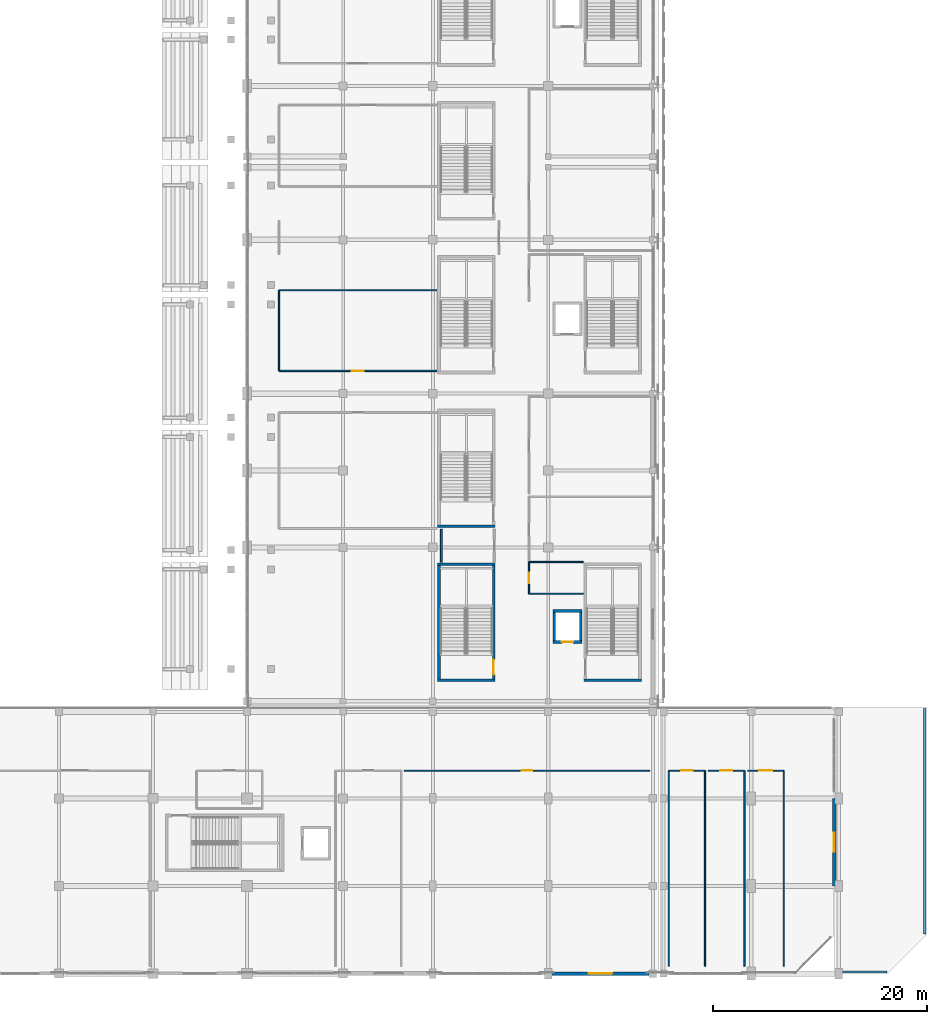
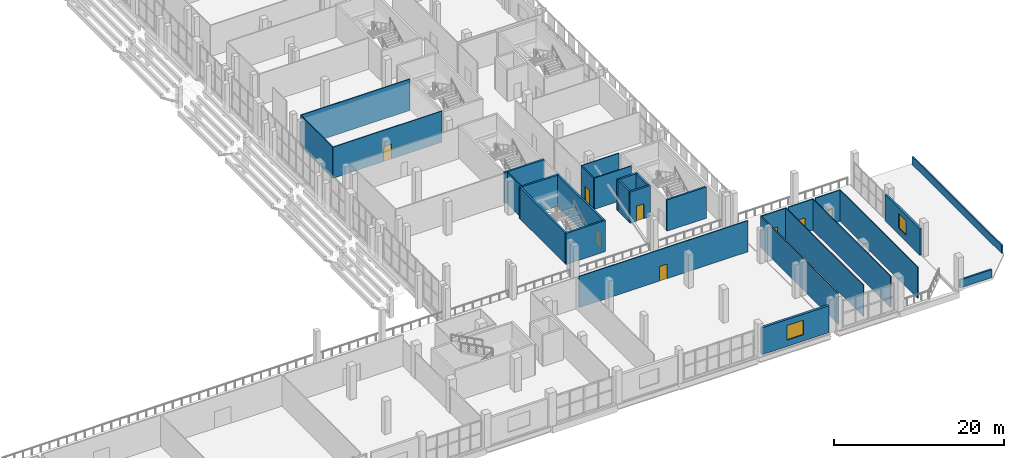
# One storey, part 97 of 142: 29 walls, 8 doors, 2 windows, 10 openings.
"""IFC4 building model written with IfcOpenShell, lengths in metres."""

import ifcopenshell
import ifcopenshell.guid

model = None  # the IFC model being written
_history = None  # IfcOwnerHistory: only IFC2X3 demands one
_inside = {}  # id of a spatial element -> (the spatial element, [elements in it])
_under = {}  # id of a project, library or spatial element -> (it, [spatial elements below it])
_declared = {}  # id of a project -> (the project, [libraries it declares])
_typed = {}  # id of a type object -> (the type object, [elements of that type])
_made_of = {}  # id of a material, layer set ... -> (it, [elements and type objects made of it])


def new_model(schema):
    """Start an empty IFC model of exactly this schema.

    Asked for "IFC4X3", IfcOpenShell would pick the latest addendum, in which some entities
    have other attributes; the version numbers below select the first issue.
    IFC2X3 requires an IfcOwnerHistory on every rooted entity: one is made here for all.
    """
    global model, _history
    if schema == "IFC4X3":
        model = ifcopenshell.file(schema_version=(4, 3, 0, 0))
    else:
        model = ifcopenshell.file(schema=schema)
    _inside.clear()
    _under.clear()
    _declared.clear()
    _typed.clear()
    _made_of.clear()
    _history = None
    if model.schema == "IFC2X3":
        org = make("IfcOrganization", Name="unknown")
        user = make(
            "IfcPersonAndOrganization",
            ThePerson=make("IfcPerson", FamilyName="unknown"),
            TheOrganization=org,
        )
        app = make(
            "IfcApplication",
            ApplicationDeveloper=org,
            Version="unknown",
            ApplicationFullName="unknown",
            ApplicationIdentifier="unknown",
        )
        _history = make(
            "IfcOwnerHistory",
            OwningUser=user,
            OwningApplication=app,
            ChangeAction="ADDED",
            CreationDate=0,
        )
    return model


def make(cls, **values):
    """One entity of the class cls with the attributes given. An attribute that is None is left unset."""
    return model.create_entity(
        cls, **{name: value for name, value in values.items() if value is not None}
    )


def rooted(cls, **values):
    """An entity with a GlobalId (a new one), such as an element, a storey or a relation."""
    return make(cls, GlobalId=ifcopenshell.guid.new(), OwnerHistory=_history, **values)


def si_unit(unit_type, name, prefix=None):
    """IfcSIUnit, for example si_unit("LENGTHUNIT", "METRE", prefix="MILLI")."""
    return make("IfcSIUnit", UnitType=unit_type, Prefix=prefix, Name=name)


def assignment(units):
    """IfcUnitAssignment: the units of a project."""
    return None if units is None else make("IfcUnitAssignment", Units=units)


def point(xyz):
    """IfcCartesianPoint."""
    return None if xyz is None else make("IfcCartesianPoint", Coordinates=xyz)


def direction(xyz):
    """IfcDirection."""
    return None if xyz is None else make("IfcDirection", DirectionRatios=xyz)


def frame(location, z_axis=None, x_axis=None):
    """IfcAxis2Placement3D, a coordinate frame: its origin and axes. An axis left out is left unset."""
    return make(
        "IfcAxis2Placement3D",
        Location=point(location),
        Axis=direction(z_axis),
        RefDirection=direction(x_axis),
    )


def frame_2d(location, x_axis=None):
    """IfcAxis2Placement2D, a coordinate frame in the plane: its origin and x axis."""
    return make(
        "IfcAxis2Placement2D", Location=point(location), RefDirection=direction(x_axis)
    )


def origin():
    """The frame at (0, 0, 0) with its axes left unset."""
    return frame((0.0, 0.0, 0.0))


def place(relative_to, where):
    """IfcLocalPlacement: puts the frame where relative to a parent placement (None: the world)."""
    return make(
        "IfcLocalPlacement", PlacementRelTo=relative_to, RelativePlacement=where
    )


def context(
    kind, dimensions, precision=None, world=None, true_north=None, identifier=None
):
    """IfcGeometricRepresentationContext, for example the 3D "Model" context."""
    return make(
        "IfcGeometricRepresentationContext",
        ContextIdentifier=identifier,
        ContextType=kind,
        CoordinateSpaceDimension=dimensions,
        Precision=precision,
        WorldCoordinateSystem=world,
        TrueNorth=true_north,
    )


def subcontext(parent, identifier, kind, view, scale=None):
    """IfcGeometricRepresentationSubContext, for example "Body" below "Model"."""
    return make(
        "IfcGeometricRepresentationSubContext",
        ContextIdentifier=identifier,
        ContextType=kind,
        ParentContext=parent,
        TargetScale=scale,
        TargetView=view,
    )


def project(units=None, contexts=None):
    """IfcProject with its units and contexts."""
    return rooted(
        "IfcProject",
        Name="project",
        RepresentationContexts=contexts,
        UnitsInContext=assignment(units),
    )


def spatial(cls, under=None, at=None, **own):
    """A site, building, storey or space (cls), placed at a placement, below another one or the project."""
    s = rooted(cls, ObjectPlacement=at, **own)
    if under is not None:
        _under.setdefault(under.id(), (under, []))[1].append(s)
    return s


def profile(cls, at=None, kind="AREA", **sizes):
    """A parametric profile (cls). Its sizes go by their IFC names, for example OverallWidth=200.0."""
    return make(cls, ProfileType=kind, Position=at, **sizes)


def rectangle(**sizes):
    """IfcRectangleProfileDef."""
    return profile("IfcRectangleProfileDef", **sizes)


def extrude(swept, where, along, depth):
    """IfcExtrudedAreaSolid: the profile swept, set in the frame where, extruded along a direction by depth."""
    return make(
        "IfcExtrudedAreaSolid",
        SweptArea=swept,
        Position=where,
        ExtrudedDirection=direction(along),
        Depth=depth,
    )


def shape(context_of_items, identifier, shape_type, items):
    """IfcShapeRepresentation: the items that make up one representation, for example the "Body"."""
    return make(
        "IfcShapeRepresentation",
        ContextOfItems=context_of_items,
        RepresentationIdentifier=identifier,
        RepresentationType=shape_type,
        Items=items,
    )


def material(Name=None, Category=None):
    """IfcMaterial."""
    return make("IfcMaterial", Name=Name, Category=Category)


def layer(
    of_material, thickness, ventilated=None, Name=None, Category=None, Priority=None
):
    """IfcMaterialLayer: one layer of a wall or slab, of a material (None: an air gap)."""
    return make(
        "IfcMaterialLayer",
        Material=of_material,
        LayerThickness=thickness,
        IsVentilated=ventilated,
        Name=Name,
        Category=Category,
        Priority=Priority,
    )


def layer_set(layers, Name=None):
    """IfcMaterialLayerSet."""
    return make("IfcMaterialLayerSet", MaterialLayers=layers, LayerSetName=Name)


def made_of(thing, what):
    """Note that an element or type object is made of a material, layer set ...; save() writes the relation."""
    if what is not None:
        _made_of.setdefault(what.id(), (what, []))[1].append(thing)
    return thing


def type_object(cls, material=None, **own):
    """A type object (cls), such as IfcWallType, which elements share."""
    return made_of(rooted(cls, **own), material)


def element(
    cls,
    number,
    at=None,
    inside=None,
    cuts=None,
    type_object=None,
    material=None,
    context=None,
    identifier="Body",
    shape_type=None,
    held_by="IfcProductDefinitionShape",
    body=None,
    shapes=None,
    **own,
):
    """One element of the class cls, such as IfcWall. Its Tag is "e" and its number.

    at: its placement. inside: the storey or other place that contains it. cuts: it is an
    opening in that element (IfcRelVoidsElement). A single representation is given by context,
    identifier, shape_type and body (its items); several are given by shapes. held_by: the class
    of the entity that holds the representations. save() writes the other relations.
    """
    e = rooted(cls, Tag="e%d" % number, ObjectPlacement=at, **own)
    if body is not None:
        shapes = [shape(context, identifier, shape_type, body)]
    if shapes is not None:
        e.Representation = make(held_by, Representations=shapes)
    if inside is not None:
        _inside.setdefault(inside.id(), (inside, []))[1].append(e)
    if cuts is not None:
        rooted(
            "IfcRelVoidsElement", RelatingBuildingElement=cuts, RelatedOpeningElement=e
        )
    if type_object is not None:
        _typed.setdefault(type_object.id(), (type_object, []))[1].append(e)
    return made_of(e, material)


def fill(opening, filler):
    """IfcRelFillsElement: the door or window that sits in an opening."""
    return rooted(
        "IfcRelFillsElement",
        RelatingOpeningElement=opening,
        RelatedBuildingElement=filler,
    )


def aggregate(whole, parts):
    """IfcRelAggregates: a whole, such as a stair, and the parts it consists of."""
    return rooted("IfcRelAggregates", RelatingObject=whole, RelatedObjects=parts)


def save(model, path):
    """Write the relations noted so far, then the file.

    IfcRelAggregates (storeys below a building ...), IfcRelContainedInSpatialStructure (elements
    in a storey), IfcRelDefinesByType, IfcRelAssociatesMaterial and IfcRelDeclares: one each for
    every whole, place, type object, material and project.
    """
    for whole, parts in _under.values():
        aggregate(whole, parts)
    for where, things in _inside.values():
        rooted(
            "IfcRelContainedInSpatialStructure",
            RelatedElements=things,
            RelatingStructure=where,
        )
    for kind, things in _typed.values():
        rooted("IfcRelDefinesByType", RelatedObjects=things, RelatingType=kind)
    for what, things in _made_of.values():
        rooted("IfcRelAssociatesMaterial", RelatedObjects=things, RelatingMaterial=what)
    for by, libraries in _declared.values():
        rooted("IfcRelDeclares", RelatingContext=by, RelatedDefinitions=libraries)
    model.write(path)


model = new_model("IFC4")

# Units and contexts
model_context = context("Model", 3, precision=1e-05, world=origin(), true_north=direction((0.0, 1.0)))
body_context = subcontext(model_context, "Body", "Model", "MODEL_VIEW")
ifc_project = project(units=[si_unit("LENGTHUNIT", "METRE"), si_unit("AREAUNIT", "SQUARE_METRE"), si_unit("VOLUMEUNIT", "CUBIC_METRE"), si_unit("PLANEANGLEUNIT", "RADIAN"), si_unit("MASSUNIT", "GRAM", prefix="KILO")], contexts=[model_context])

# Site, building, storey
site_placement = place(None, origin())
site = spatial("IfcSite", under=ifc_project, at=site_placement, CompositionType="ELEMENT")
building_placement = place(site_placement, origin())
building = spatial("IfcBuilding", under=site, at=building_placement, Name="Koshinbarg Plaza Stadium", CompositionType="ELEMENT")
storey_placement = place(building_placement, frame((0.0, 0.0, 10.199951171875)))
storey = spatial("IfcBuildingStorey", under=building, at=storey_placement, Name="L02", CompositionType="ELEMENT", Elevation=10.199951171875)

# Walls
ifc_material_1 = material(Name="Concrete C40/50", Category="concrete")
ifc_layer_1 = layer(ifc_material_1, 0.25)
ifc_layer_set_1 = layer_set([ifc_layer_1], Name="Concrete C40/50")
wall_type_1 = type_object("IfcWallType", Name="WL-CORE-250", PredefinedType="SHEAR", material=ifc_layer_set_1)
for number, where, z_axis, x_axis, name in (
    (1, (211.949951171875, 27.47509765625, 0.0), (0.0, 0.0, 1.0), (1.0, 0.0, 0.0), "L02 core stair shear wall C07-near IWL-L02-0170"),
    (2, (198.25, 27.47509765625, 0.0), (0.0, 0.0, 1.0), (1.0, 0.0, 0.0), "L02 vomitory stair shear wall VX07-near IWL-L02-0458"),
    (3, (203.6201171875, 38.324951171875, 0.0), (0.0, 0.0, 1.0), (-1.0, 0.0, 0.0), "L02 vomitory stair shear wall VX07-far IWL-L02-0459"),
):
    element("IfcWall", number, at=place(storey_placement, frame(where, z_axis=z_axis, x_axis=x_axis)), inside=storey, type_object=wall_type_1, Name=name, PredefinedType="SHEAR", context=body_context, shape_type="SweptSolid", body=[
        extrude(rectangle(XDim=5.3701171875, YDim=0.25, at=frame_2d((2.68505859375, 0.0))), origin(), (0.0, 0.0, 1.0), 4.47998046875),
    ])
wall_1_placement = place(storey_placement, frame((198.375, 27.47509765625, 0.0), z_axis=(0.0, 0.0, 1.0), x_axis=(0.0, 1.0, 0.0)))
element("IfcWall", 4, at=wall_1_placement, inside=storey, type_object=wall_type_1, Name="L02 vomitory stair shear wall VX07-left IWL-L02-0460", PredefinedType="SHEAR", context=body_context, shape_type="SweptSolid", body=[
    extrude(rectangle(XDim=10.849853515625, YDim=0.25, at=frame_2d((5.4248046875, 0.0))), origin(), (0.0, 0.0, 1.0), 4.47998046875),
])

# Wall, opening, door
wall_2_placement = place(storey_placement, frame((203.4951171875, 27.47509765625, 0.0), z_axis=(0.0, 0.0, 1.0), x_axis=(0.0, 1.0, 0.0)))
wall_2 = element("IfcWall", 5, at=wall_2_placement, inside=storey, type_object=wall_type_1, Name="L02 vomitory stair shear wall VX07-right IWL-L02-0461", PredefinedType="SHEAR", context=body_context, shape_type="SweptSolid", body=[
    extrude(rectangle(XDim=10.849853515625, YDim=0.25, at=frame_2d((5.4248046875, 0.0))), origin(), (0.0, 0.0, 1.0), 4.47998046875),
])
opening_1_placement = place(wall_2_placement, frame((0.52001953125, 0.0, 0.0)))
opening_1 = element("IfcOpeningElement", 6, at=opening_1_placement, cuts=wall_2, Name="Opening D-0177", PredefinedType="OPENING", context=body_context, shape_type="SweptSolid", body=[
    extrude(rectangle(XDim=1.39990234375, YDim=2.14990234375, at=frame_2d((0.699951171875, 1.074951171875))), frame((0.0, 0.135009765625, 0.0), z_axis=(0.0, -1.0, 0.0), x_axis=(1.0, 0.0, 0.0)), (0.0, 0.0, 1.0), 0.27001953125),
])
ifc_material_2 = material(Name="Painted galvanized steel fire door", Category="steel")
door_type_1 = type_object("IfcDoorType", Name="DR-STAIR-1400", OperationType="NOTDEFINED", PredefinedType="DOOR", material=ifc_material_2)
door_1_placement = place(opening_1_placement, origin())
door_1 = element("IfcDoor", 7, at=door_1_placement, inside=storey, type_object=door_type_1, Name="L02 vomitory exit stair door VX07", OperationType="SINGLE_SWING_RIGHT", OverallHeight=2.14990234375, OverallWidth=1.39990234375, PredefinedType="DOOR", context=body_context, shape_type="SweptSolid", body=[
    extrude(rectangle(XDim=1.39990234375, YDim=2.14990234375, at=frame_2d((0.699951171875, 1.074951171875))), frame((0.0, 0.02490234375, 0.0), z_axis=(0.0, -1.0, 0.0), x_axis=(1.0, 0.0, 0.0)), (0.0, 0.0, 1.0), 0.050048828125),
])
fill(opening_1, door_1)

# Wall
wall_3_placement = place(storey_placement, frame((198.25, 41.875, 0.0), z_axis=(0.0, 0.0, 1.0), x_axis=(1.0, 0.0, 0.0)))
element("IfcWall", 8, at=wall_3_placement, inside=storey, type_object=wall_type_1, Name="L02 vomitory stair shear wall VX08-near IWL-L02-0474", PredefinedType="SHEAR", context=body_context, shape_type="SweptSolid", body=[
    extrude(rectangle(XDim=5.3701171875, YDim=0.25, at=frame_2d((2.68505859375, 0.0))), origin(), (0.0, 0.0, 1.0), 4.47998046875),
])

# Wall, opening, door
wall_4_placement = place(storey_placement, frame((209.02490234375, 31.050048828125, 0.0), z_axis=(0.0, 0.0, 1.0), x_axis=(1.0, 0.0, 0.0)))
wall_4 = element("IfcWall", 9, at=wall_4_placement, inside=storey, type_object=wall_type_1, Name="L02 lift shaft shear wall LP03-S IWL-L02-0870", PredefinedType="SHEAR", context=body_context, shape_type="SweptSolid", body=[
    extrude(rectangle(XDim=2.75, YDim=0.25, at=frame_2d((1.375, 0.0))), origin(), (0.0, 0.0, 1.0), 4.47998046875),
])
opening_2_placement = place(wall_4_placement, frame((0.85009765625, 0.0, 0.0)))
opening_2 = element("IfcOpeningElement", 10, at=opening_2_placement, cuts=wall_4, Name="Opening D-0287", PredefinedType="OPENING", context=body_context, shape_type="SweptSolid", body=[
    extrude(rectangle(XDim=1.050048828125, YDim=2.14990234375, at=frame_2d((0.52490234375, 1.074951171875))), frame((0.0, 0.135009765625, 0.0), z_axis=(0.0, -1.0, 0.0), x_axis=(1.0, 0.0, 0.0)), (0.0, 0.0, 1.0), 0.27001953125),
])
ifc_material_3 = material(Name="Brushed stainless steel sliding lift landing door", Category="steel")
door_type_2 = type_object("IfcDoorType", Name="DR-LIFT-1050", OperationType="NOTDEFINED", PredefinedType="DOOR", material=ifc_material_3)
door_2_placement = place(opening_2_placement, origin())
door_2 = element("IfcDoor", 11, at=door_2_placement, inside=storey, type_object=door_type_2, Name="L02 lift landing door LP03", OperationType="SLIDING_TO_RIGHT", OverallHeight=2.14990234375, OverallWidth=1.050048828125, PredefinedType="DOOR", context=body_context, shape_type="SweptSolid", body=[
    extrude(rectangle(XDim=1.050048828125, YDim=2.14990234375, at=frame_2d((0.52490234375, 1.074951171875))), frame((0.0, 0.02490234375, 0.0), z_axis=(0.0, -1.0, 0.0), x_axis=(1.0, 0.0, 0.0)), (0.0, 0.0, 1.0), 0.050048828125),
])
fill(opening_2, door_2)

# Walls
wall_5_placement = place(storey_placement, frame((211.77490234375, 33.949951171875, 0.0), z_axis=(0.0, 0.0, 1.0), x_axis=(-1.0, 0.0, 0.0)))
element("IfcWall", 12, at=wall_5_placement, inside=storey, type_object=wall_type_1, Name="L02 lift shaft shear wall LP03-N IWL-L02-0871", PredefinedType="SHEAR", context=body_context, shape_type="SweptSolid", body=[
    extrude(rectangle(XDim=2.75, YDim=0.25, at=frame_2d((1.375, 0.0))), origin(), (0.0, 0.0, 1.0), 4.47998046875),
])
for number, where, z_axis, x_axis, name in (
    (13, (209.14990234375, 33.949951171875, 0.0), (0.0, 0.0, 1.0), (0.0, -1.0, 0.0), "L02 lift shaft shear wall LP03-W IWL-L02-0872"),
    (14, (211.64990234375, 31.050048828125, 0.0), (0.0, 0.0, 1.0), (0.0, 1.0, 0.0), "L02 lift shaft shear wall LP03-E IWL-L02-0873"),
):
    element("IfcWall", number, at=place(storey_placement, frame(where, z_axis=z_axis, x_axis=x_axis)), inside=storey, type_object=wall_type_1, Name=name, PredefinedType="SHEAR", context=body_context, shape_type="SweptSolid", body=[
        extrude(rectangle(XDim=2.89990234375, YDim=0.25, at=frame_2d((1.449951171875, 0.0))), origin(), (0.0, 0.0, 1.0), 4.47998046875),
    ])

# Wall, opening, window
ifc_material_4 = material(Name="Off-white mineral plaster insulated wall", Category="masonry")
ifc_layer_2 = layer(ifc_material_4, 0.300048828125)
ifc_layer_set_2 = layer_set([ifc_layer_2], Name="Off-white mineral plaster insulated wall")
wall_type_2 = type_object("IfcWallType", Name="WL-EXT-300", PredefinedType="SOLIDWALL", material=ifc_layer_set_2)
wall_6_placement = place(storey_placement, frame((235.3798828125, 16.39990234375, 0.0), z_axis=(0.0, 0.0, 1.0), x_axis=(0.0, -1.0, 0.0)))
wall_6 = element("IfcWall", 15, at=wall_6_placement, inside=storey, type_object=wall_type_2, Name="L02 exterior envelope wall EWL-L02-0133", PredefinedType="SOLIDWALL", context=body_context, shape_type="SweptSolid", body=[
    extrude(rectangle(XDim=8.199951171875, YDim=0.300048828125, at=frame_2d((4.10009765625, 0.0))), origin(), (0.0, 0.0, 1.0), 3.780029296875),
])
opening_3_placement = place(wall_6_placement, frame((3.199951171875, 0.0, 0.89990234375)))
opening_3 = element("IfcOpeningElement", 16, at=opening_3_placement, cuts=wall_6, Name="Opening WN14", PredefinedType="OPENING", context=body_context, shape_type="SweptSolid", body=[
    extrude(rectangle(XDim=1.800048828125, YDim=2.10009765625, at=frame_2d((0.89990234375, 1.050048828125))), frame((0.0, 0.159912109375, 0.0), z_axis=(0.0, -1.0, 0.0), x_axis=(1.0, 0.0, 0.0)), (0.0, 0.0, 1.0), 0.320068359375),
])
ifc_material_5 = material(Name="Solar-control double glazing in thermally broken aluminium frame", Category="aluminium")
window_type_1 = type_object("IfcWindowType", Name="WN-FAC-14", PartitioningType="DOUBLE_PANEL_VERTICAL", PredefinedType="WINDOW", material=ifc_material_5)
window_1_placement = place(opening_3_placement, origin())
window_1 = element("IfcWindow", 17, at=window_1_placement, inside=storey, type_object=window_type_1, Name="L02 facade window 0069", OverallHeight=2.10009765625, OverallWidth=1.800048828125, PartitioningType="SINGLE_PANEL", PredefinedType="WINDOW", context=body_context, shape_type="SweptSolid", body=[
    extrude(rectangle(XDim=1.800048828125, YDim=2.10009765625, at=frame_2d((0.89990234375, 1.050048828125))), frame((0.0, 0.030029296875, 0.0), z_axis=(0.0, -1.0, 0.0), x_axis=(1.0, 0.0, 0.0)), (0.0, 0.0, 1.0), 0.06005859375),
])
fill(opening_3, window_1)

ifc_material_6 = material(Name="Ultramarine-blue pigmented mineral plaster facade wall", Category="masonry")
ifc_layer_3 = layer(ifc_material_6, 0.320068359375)
ifc_layer_set_3 = layer_set([ifc_layer_3], Name="Ultramarine-blue pigmented mineral plaster facade wall")
wall_type_3 = type_object("IfcWallType", Name="WL-EXT-320", PredefinedType="SOLIDWALL", material=ifc_layer_set_3)
wall_7_placement = place(storey_placement, frame((218.054931640625, 0.0, 0.0), z_axis=(0.0, 0.0, 1.0), x_axis=(-1.0, 0.0, 0.0)))
wall_7 = element("IfcWall", 18, at=wall_7_placement, inside=storey, type_object=wall_type_3, Name="L02 exterior envelope wall EWL-L02-0134", PredefinedType="SOLIDWALL", context=body_context, shape_type="SweptSolid", body=[
    extrude(rectangle(XDim=9.10986328125, YDim=0.320068359375, at=frame_2d((4.554931640625, 0.0))), origin(), (0.0, 0.0, 1.0), 3.860107421875),
])
opening_4_placement = place(wall_7_placement, frame((3.455078125, 0.0, 0.89990234375)))
opening_4 = element("IfcOpeningElement", 19, at=opening_4_placement, cuts=wall_7, Name="Opening WN15", PredefinedType="OPENING", context=body_context, shape_type="SweptSolid", body=[
    extrude(rectangle(XDim=2.199951171875, YDim=2.10009765625, at=frame_2d((1.10009765625, 1.050048828125))), frame((0.0, 0.169921875, 0.0), z_axis=(0.0, -1.0, 0.0), x_axis=(1.0, 0.0, 0.0)), (0.0, 0.0, 1.0), 0.340087890625),
])
window_type_2 = type_object("IfcWindowType", Name="WN-FAC-15", PartitioningType="DOUBLE_PANEL_VERTICAL", PredefinedType="WINDOW", material=ifc_material_5)
window_2_placement = place(opening_4_placement, origin())
window_2 = element("IfcWindow", 20, at=window_2_placement, inside=storey, type_object=window_type_2, Name="L02 facade window 0070", OverallHeight=2.10009765625, OverallWidth=2.199951171875, PartitioningType="SINGLE_PANEL", PredefinedType="WINDOW", context=body_context, shape_type="SweptSolid", body=[
    extrude(rectangle(XDim=2.199951171875, YDim=2.10009765625, at=frame_2d((1.10009765625, 1.050048828125))), frame((0.0, 0.030029296875, 0.0), z_axis=(0.0, -1.0, 0.0), x_axis=(1.0, 0.0, 0.0)), (0.0, 0.0, 1.0), 0.06005859375),
])
fill(opening_4, window_2)

# Walls
ifc_material_7 = material(Name="Precast concrete C40/50", Category="concrete")
ifc_layer_4 = layer(ifc_material_7, 0.199951171875)
ifc_layer_set_4 = layer_set([ifc_layer_4], Name="Precast concrete C40/50")
wall_type_4 = type_object("IfcWallType", Name="WL-PAR-200", PredefinedType="PARAPET", material=ifc_layer_set_4)
wall_8_placement = place(storey_placement, frame((243.85009765625, 24.800048828125, 0.0), z_axis=(0.0, 0.0, 1.0), x_axis=(0.0, -1.0, 0.0)))
element("IfcWall", 21, at=wall_8_placement, inside=storey, type_object=wall_type_4, Name="L02 stepped pavilion roof parapet 040", PredefinedType="PARAPET", context=body_context, shape_type="SweptSolid", body=[
    extrude(rectangle(XDim=21.10009765625, YDim=0.199951171875, at=frame_2d((10.550048828125, 0.0))), origin(), (0.0, 0.0, 1.0), 1.150146484375),
])
ifc_layer_5 = layer(ifc_material_7, 0.219970703125)
ifc_layer_set_5 = layer_set([ifc_layer_5], Name="Precast concrete C40/50")
wall_type_5 = type_object("IfcWallType", Name="WL-PAR-220", PredefinedType="PARAPET", material=ifc_layer_set_5)
wall_9_placement = place(storey_placement, frame((240.300048828125, 0.14990234375, 0.0), z_axis=(0.0, 0.0, 1.0), x_axis=(-1.0, 0.0, 0.0)))
element("IfcWall", 22, at=wall_9_placement, inside=storey, type_object=wall_type_5, Name="L02 stepped pavilion roof parapet 041", PredefinedType="PARAPET", context=body_context, shape_type="SweptSolid", body=[
    extrude(rectangle(XDim=4.35009765625, YDim=0.219970703125, at=frame_2d((2.175048828125, 0.0))), origin(), (0.0, 0.0, 1.0), 1.150146484375),
])
ifc_material_8 = material(Name="Gypsum board metal-stud acoustic partition")
ifc_layer_6 = layer(ifc_material_8, 0.1201171875)
ifc_layer_set_6 = layer_set([ifc_layer_6], Name="Gypsum board metal-stud acoustic partition")
wall_type_6 = type_object("IfcWallType", Name="WL-PART-120", PredefinedType="PARTITIONING", material=ifc_layer_set_6)
for number, where, z_axis, x_axis, name in (
    (23, (206.800048828125, 35.56298828125, 0.0), (0.0, 0.0, 1.0), (1.0, 0.0, 0.0), "L02 interior partition L02-87-south IWL-L02-1698"),
    (24, (211.8701171875, 38.530029296875, 0.0), (0.0, 0.0, 1.0), (-1.0, 0.0, 0.0), "L02 interior partition L02-87-north IWL-L02-1699"),
):
    element("IfcWall", number, at=place(storey_placement, frame(where, z_axis=z_axis, x_axis=x_axis)), inside=storey, type_object=wall_type_6, Name=name, PredefinedType="PARTITIONING", context=body_context, shape_type="SweptSolid", body=[
        extrude(rectangle(XDim=5.070068359375, YDim=0.1201171875, at=frame_2d((2.53515625, 0.0))), origin(), (0.0, 0.0, 1.0), 4.47998046875),
    ])

# Wall, opening, door
wall_10_placement = place(storey_placement, frame((206.800048828125, 38.530029296875, 0.0), z_axis=(0.0, 0.0, 1.0), x_axis=(0.0, -1.0, 0.0)))
wall_10 = element("IfcWall", 25, at=wall_10_placement, inside=storey, type_object=wall_type_6, Name="L02 interior partition L02-87-west IWL-L02-1700", PredefinedType="PARTITIONING", context=body_context, shape_type="SweptSolid", body=[
    extrude(rectangle(XDim=2.967041015625, YDim=0.1201171875, at=frame_2d((1.4833984375, 0.0))), origin(), (0.0, 0.0, 1.0), 4.47998046875),
])
opening_5_placement = place(wall_10_placement, frame((0.983642578125, 0.0, 0.0)))
opening_5 = element("IfcOpeningElement", 26, at=opening_5_placement, cuts=wall_10, Name="Opening D-0574", PredefinedType="OPENING", context=body_context, shape_type="SweptSolid", body=[
    extrude(rectangle(XDim=1.0, YDim=2.10009765625, at=frame_2d((0.5, 1.050048828125))), frame((0.0, 0.070068359375, 0.0), z_axis=(0.0, -1.0, 0.0), x_axis=(1.0, 0.0, 0.0)), (0.0, 0.0, 1.0), 0.14013671875),
])
ifc_material_9 = material(Name="Solid-core laminate accessible WC door")
door_type_3 = type_object("IfcDoorType", Name="DR-INT-1000x2100", OperationType="NOTDEFINED", PredefinedType="DOOR", material=ifc_material_9)
door_3_placement = place(opening_5_placement, origin())
door_3 = element("IfcDoor", 27, at=door_3_placement, inside=storey, type_object=door_type_3, Name="L02 East Catering Kitchen door D-0574", OperationType="SINGLE_SWING_RIGHT", OverallHeight=2.10009765625, OverallWidth=1.0, PredefinedType="DOOR", context=body_context, shape_type="SweptSolid", body=[
    extrude(rectangle(XDim=1.0, YDim=2.10009765625, at=frame_2d((0.5, 1.050048828125))), frame((0.0, 0.02490234375, 0.0), z_axis=(0.0, -1.0, 0.0), x_axis=(1.0, 0.0, 0.0)), (0.0, 0.0, 1.0), 0.050048828125),
])
fill(opening_5, door_3)

wall_11_placement = place(storey_placement, frame((183.39990234375, 56.429931640625, 0.0), z_axis=(0.0, 0.0, 1.0), x_axis=(1.0, 0.0, 0.0)))
wall_11 = element("IfcWall", 28, at=wall_11_placement, inside=storey, type_object=wall_type_6, Name="L02 interior partition L02-89-south IWL-L02-1703", PredefinedType="PARTITIONING", context=body_context, shape_type="SweptSolid", body=[
    extrude(rectangle(XDim=14.77001953125, YDim=0.1201171875, at=frame_2d((7.385009765625, 0.0))), origin(), (0.0, 0.0, 1.0), 4.47998046875),
])
opening_6_placement = place(wall_11_placement, frame((6.824951171875, 0.0, 0.0)))
opening_6 = element("IfcOpeningElement", 29, at=opening_6_placement, cuts=wall_11, Name="Opening D-0576", PredefinedType="OPENING", context=body_context, shape_type="SweptSolid", body=[
    extrude(rectangle(XDim=1.1201171875, YDim=2.14990234375, at=frame_2d((0.56005859375, 1.074951171875))), frame((0.0, 0.070068359375, 0.0), z_axis=(0.0, -1.0, 0.0), x_axis=(1.0, 0.0, 0.0)), (0.0, 0.0, 1.0), 0.14013671875),
])
ifc_material_10 = material(Name="Acoustic timber broadcast studio door", Category="wood")
door_type_4 = type_object("IfcDoorType", Name="DR-INT-1120x2150", OperationType="NOTDEFINED", PredefinedType="DOOR", material=ifc_material_10)
door_4_placement = place(opening_6_placement, origin())
door_4 = element("IfcDoor", 30, at=door_4_placement, inside=storey, type_object=door_type_4, Name="L02 Supporters' Banquet Lounge door D-0576", OperationType="SINGLE_SWING_RIGHT", OverallHeight=2.14990234375, OverallWidth=1.1201171875, PredefinedType="DOOR", context=body_context, shape_type="SweptSolid", body=[
    extrude(rectangle(XDim=1.1201171875, YDim=2.14990234375, at=frame_2d((0.56005859375, 1.074951171875))), frame((0.0, 0.02490234375, 0.0), z_axis=(0.0, -1.0, 0.0), x_axis=(1.0, 0.0, 0.0)), (0.0, 0.0, 1.0), 0.050048828125),
])
fill(opening_6, door_4)

# Walls
wall_12_placement = place(storey_placement, frame((198.169921875, 63.98046875, 0.0), z_axis=(0.0, 0.0, 1.0), x_axis=(-1.0, 0.0, 0.0)))
element("IfcWall", 31, at=wall_12_placement, inside=storey, type_object=wall_type_6, Name="L02 interior partition L02-89-north IWL-L02-1704", PredefinedType="PARTITIONING", context=body_context, shape_type="SweptSolid", body=[
    extrude(rectangle(XDim=14.77001953125, YDim=0.1201171875, at=frame_2d((7.385009765625, 0.0))), origin(), (0.0, 0.0, 1.0), 4.47998046875),
])
wall_13_placement = place(storey_placement, frame((183.39990234375, 63.98046875, 0.0), z_axis=(0.0, 0.0, 1.0), x_axis=(0.0, -1.0, 0.0)))
element("IfcWall", 32, at=wall_13_placement, inside=storey, type_object=wall_type_6, Name="L02 interior partition L02-89-west IWL-L02-1705", PredefinedType="PARTITIONING", context=body_context, shape_type="SweptSolid", body=[
    extrude(rectangle(XDim=7.550537109375, YDim=0.1201171875, at=frame_2d((3.775390625, 0.0))), origin(), (0.0, 0.0, 1.0), 4.47998046875),
])

# Wall, opening, door
wall_14_placement = place(storey_placement, frame((218.10498046875, 19.0, 0.0), z_axis=(0.0, 0.0, 1.0), x_axis=(-1.0, 0.0, 0.0)))
wall_14 = element("IfcWall", 33, at=wall_14_placement, inside=storey, type_object=wall_type_6, Name="L02 interior partition L02-138-north IWL-L02-1841", PredefinedType="PARTITIONING", context=body_context, shape_type="SweptSolid", body=[
    extrude(rectangle(XDim=22.967529296875, YDim=0.1201171875, at=frame_2d((11.48388671875, 0.0))), origin(), (0.0, 0.0, 1.0), 4.47998046875),
])
opening_7_placement = place(wall_14_placement, frame((10.98388671875, 0.0, 0.0)))
opening_7 = element("IfcOpeningElement", 34, at=opening_7_placement, cuts=wall_14, Name="Opening D-0625", PredefinedType="OPENING", context=body_context, shape_type="SweptSolid", body=[
    extrude(rectangle(XDim=1.0, YDim=2.10009765625, at=frame_2d((0.5, 1.050048828125))), frame((0.0, 0.070068359375, 0.0), z_axis=(0.0, -1.0, 0.0), x_axis=(1.0, 0.0, 0.0)), (0.0, 0.0, 1.0), 0.14013671875),
])
door_5_placement = place(opening_7_placement, origin())
door_5 = element("IfcDoor", 35, at=door_5_placement, inside=storey, type_object=door_type_3, Name="L02 South Hospitality Lounge door D-0625", OperationType="SINGLE_SWING_LEFT", OverallHeight=2.10009765625, OverallWidth=1.0, PredefinedType="DOOR", context=body_context, shape_type="SweptSolid", body=[
    extrude(rectangle(XDim=1.0, YDim=2.10009765625, at=frame_2d((0.5, 1.050048828125))), frame((0.0, 0.02490234375, 0.0), z_axis=(0.0, -1.0, 0.0), x_axis=(1.0, 0.0, 0.0)), (0.0, 0.0, 1.0), 0.050048828125),
])
fill(opening_7, door_5)

# Wall
wall_15_placement = place(storey_placement, frame((223.280029296875, 0.699951171875, 0.0), z_axis=(0.0, 0.0, 1.0), x_axis=(0.0, 1.0, 0.0)))
element("IfcWall", 36, at=wall_15_placement, inside=storey, type_object=wall_type_6, Name="L02 interior partition L02-139-east IWL-L02-1842", PredefinedType="PARTITIONING", context=body_context, shape_type="SweptSolid", body=[
    extrude(rectangle(XDim=18.300048828125, YDim=0.1201171875, at=frame_2d((9.14990234375, 0.0))), origin(), (0.0, 0.0, 1.0), 4.47998046875),
])

# Wall, opening, door
wall_16_placement = place(storey_placement, frame((223.280029296875, 19.0, 0.0), z_axis=(0.0, 0.0, 1.0), x_axis=(-1.0, 0.0, 0.0)))
wall_16 = element("IfcWall", 37, at=wall_16_placement, inside=storey, type_object=wall_type_6, Name="L02 interior partition L02-139-north IWL-L02-1843", PredefinedType="PARTITIONING", context=body_context, shape_type="SweptSolid", body=[
    extrude(rectangle(XDim=3.385009765625, YDim=0.1201171875, at=frame_2d((1.6923828125, 0.0))), origin(), (0.0, 0.0, 1.0), 4.47998046875),
])
opening_8_placement = place(wall_16_placement, frame((1.16748046875, 0.0, 0.0)))
opening_8 = element("IfcOpeningElement", 38, at=opening_8_placement, cuts=wall_16, Name="Opening D-0626", PredefinedType="OPENING", context=body_context, shape_type="SweptSolid", body=[
    extrude(rectangle(XDim=1.050048828125, YDim=2.14990234375, at=frame_2d((0.52490234375, 1.074951171875))), frame((0.0, 0.070068359375, 0.0), z_axis=(0.0, -1.0, 0.0), x_axis=(1.0, 0.0, 0.0)), (0.0, 0.0, 1.0), 0.14013671875),
])
ifc_material_11 = material(Name="Solid-core oak suite entrance door")
door_type_5 = type_object("IfcDoorType", Name="DR-INT-1050x2150", OperationType="NOTDEFINED", PredefinedType="DOOR", material=ifc_material_11)
door_6_placement = place(opening_8_placement, origin())
door_6 = element("IfcDoor", 39, at=door_6_placement, inside=storey, type_object=door_type_5, Name="L02 South Hospitality Lounge door D-0626", OperationType="SINGLE_SWING_RIGHT", OverallHeight=2.14990234375, OverallWidth=1.050048828125, PredefinedType="DOOR", context=body_context, shape_type="SweptSolid", body=[
    extrude(rectangle(XDim=1.050048828125, YDim=2.14990234375, at=frame_2d((0.52490234375, 1.074951171875))), frame((0.0, 0.02490234375, 0.0), z_axis=(0.0, -1.0, 0.0), x_axis=(1.0, 0.0, 0.0)), (0.0, 0.0, 1.0), 0.050048828125),
])
fill(opening_8, door_6)

# Walls
for number, where, z_axis, x_axis, name in (
    (40, (219.89501953125, 19.0, 0.0), (0.0, 0.0, 1.0), (0.0, -1.0, 0.0), "L02 interior partition L02-139-west IWL-L02-1844"),
    (41, (226.965087890625, 0.699951171875, 0.0), (0.0, 0.0, 1.0), (0.0, 1.0, 0.0), "L02 interior partition L02-140-east IWL-L02-1845"),
):
    element("IfcWall", number, at=place(storey_placement, frame(where, z_axis=z_axis, x_axis=x_axis)), inside=storey, type_object=wall_type_6, Name=name, PredefinedType="PARTITIONING", context=body_context, shape_type="SweptSolid", body=[
        extrude(rectangle(XDim=18.300048828125, YDim=0.1201171875, at=frame_2d((9.14990234375, 0.0))), origin(), (0.0, 0.0, 1.0), 4.47998046875),
    ])

# Wall, opening, door
wall_17_placement = place(storey_placement, frame((226.965087890625, 19.0, 0.0), z_axis=(0.0, 0.0, 1.0), x_axis=(-1.0, 0.0, 0.0)))
wall_17 = element("IfcWall", 42, at=wall_17_placement, inside=storey, type_object=wall_type_6, Name="L02 interior partition L02-140-north IWL-L02-1846", PredefinedType="PARTITIONING", context=body_context, shape_type="SweptSolid", body=[
    extrude(rectangle(XDim=3.385009765625, YDim=0.1201171875, at=frame_2d((1.6923828125, 0.0))), origin(), (0.0, 0.0, 1.0), 4.47998046875),
])
opening_9_placement = place(wall_17_placement, frame((1.132568359375, 0.0, 0.0)))
opening_9 = element("IfcOpeningElement", 43, at=opening_9_placement, cuts=wall_17, Name="Opening D-0627", PredefinedType="OPENING", context=body_context, shape_type="SweptSolid", body=[
    extrude(rectangle(XDim=1.1201171875, YDim=2.14990234375, at=frame_2d((0.56005859375, 1.074951171875))), frame((0.0, 0.070068359375, 0.0), z_axis=(0.0, -1.0, 0.0), x_axis=(1.0, 0.0, 0.0)), (0.0, 0.0, 1.0), 0.14013671875),
])
door_7_placement = place(opening_9_placement, origin())
door_7 = element("IfcDoor", 44, at=door_7_placement, inside=storey, type_object=door_type_4, Name="L02 Central Banquet Kitchen door D-0627", OperationType="SINGLE_SWING_LEFT", OverallHeight=2.14990234375, OverallWidth=1.1201171875, PredefinedType="DOOR", context=body_context, shape_type="SweptSolid", body=[
    extrude(rectangle(XDim=1.1201171875, YDim=2.14990234375, at=frame_2d((0.56005859375, 1.074951171875))), frame((0.0, 0.02490234375, 0.0), z_axis=(0.0, -1.0, 0.0), x_axis=(1.0, 0.0, 0.0)), (0.0, 0.0, 1.0), 0.050048828125),
])
fill(opening_9, door_7)

# Wall
wall_18_placement = place(storey_placement, frame((230.64990234375, 0.699951171875, 0.0), z_axis=(0.0, 0.0, 1.0), x_axis=(0.0, 1.0, 0.0)))
element("IfcWall", 45, at=wall_18_placement, inside=storey, type_object=wall_type_6, Name="L02 interior partition L02-141-east IWL-L02-1847", PredefinedType="PARTITIONING", context=body_context, shape_type="SweptSolid", body=[
    extrude(rectangle(XDim=18.300048828125, YDim=0.1201171875, at=frame_2d((9.14990234375, 0.0))), origin(), (0.0, 0.0, 1.0), 4.47998046875),
])

# Wall, opening, door
wall_19_placement = place(storey_placement, frame((230.64990234375, 19.0, 0.0), z_axis=(0.0, 0.0, 1.0), x_axis=(-1.0, 0.0, 0.0)))
wall_19 = element("IfcWall", 46, at=wall_19_placement, inside=storey, type_object=wall_type_6, Name="L02 interior partition L02-141-north IWL-L02-1848", PredefinedType="PARTITIONING", context=body_context, shape_type="SweptSolid", body=[
    extrude(rectangle(XDim=3.385009765625, YDim=0.1201171875, at=frame_2d((1.6923828125, 0.0))), origin(), (0.0, 0.0, 1.0), 4.47998046875),
])
opening_10_placement = place(wall_19_placement, frame((1.092529296875, 0.0, 0.0)))
opening_10 = element("IfcOpeningElement", 47, at=opening_10_placement, cuts=wall_19, Name="Opening D-0628", PredefinedType="OPENING", context=body_context, shape_type="SweptSolid", body=[
    extrude(rectangle(XDim=1.199951171875, YDim=2.14990234375, at=frame_2d((0.60009765625, 1.074951171875))), frame((0.0, 0.070068359375, 0.0), z_axis=(0.0, -1.0, 0.0), x_axis=(1.0, 0.0, 0.0)), (0.0, 0.0, 1.0), 0.14013671875),
])
ifc_material_12 = material(Name="Solid-core hardwood leaf in painted steel frame", Category="steel")
door_type_6 = type_object("IfcDoorType", Name="DR-INT-1200x2150", OperationType="NOTDEFINED", PredefinedType="DOOR", material=ifc_material_12)
door_8_placement = place(opening_10_placement, origin())
door_8 = element("IfcDoor", 48, at=door_8_placement, inside=storey, type_object=door_type_6, Name="L02 South Club Reception Salon door D-0628", OperationType="SINGLE_SWING_RIGHT", OverallHeight=2.14990234375, OverallWidth=1.199951171875, PredefinedType="DOOR", context=body_context, shape_type="SweptSolid", body=[
    extrude(rectangle(XDim=1.199951171875, YDim=2.14990234375, at=frame_2d((0.60009765625, 1.074951171875))), frame((0.0, 0.02490234375, 0.0), z_axis=(0.0, -1.0, 0.0), x_axis=(1.0, 0.0, 0.0)), (0.0, 0.0, 1.0), 0.050048828125),
])
fill(opening_10, door_8)

# Wall
ifc_material_13 = material(Name="Moisture-resistant tiled sanitary partition")
ifc_layer_7 = layer(ifc_material_13, 0.179931640625)
ifc_layer_set_7 = layer_set([ifc_layer_7], Name="Moisture-resistant tiled sanitary partition")
wall_type_7 = type_object("IfcWallType", Name="WL-PART-180", PredefinedType="PARTITIONING", material=ifc_layer_set_7)
wall_20_placement = place(storey_placement, frame((198.60009765625, 41.60009765625, 0.0), z_axis=(0.0, 0.0, 1.0), x_axis=(0.0, -1.0, 0.0)))
element("IfcWall", 49, at=wall_20_placement, inside=storey, type_object=wall_type_7, Name="L02 interior partition L02-59-west IWL-L02-1625", PredefinedType="PARTITIONING", context=body_context, shape_type="SweptSolid", body=[
    extrude(rectangle(XDim=3.070068359375, YDim=0.179931640625, at=frame_2d((1.53515625, 0.0))), origin(), (0.0, 0.0, 1.0), 4.47998046875),
])

save(model, "model.ifc")
